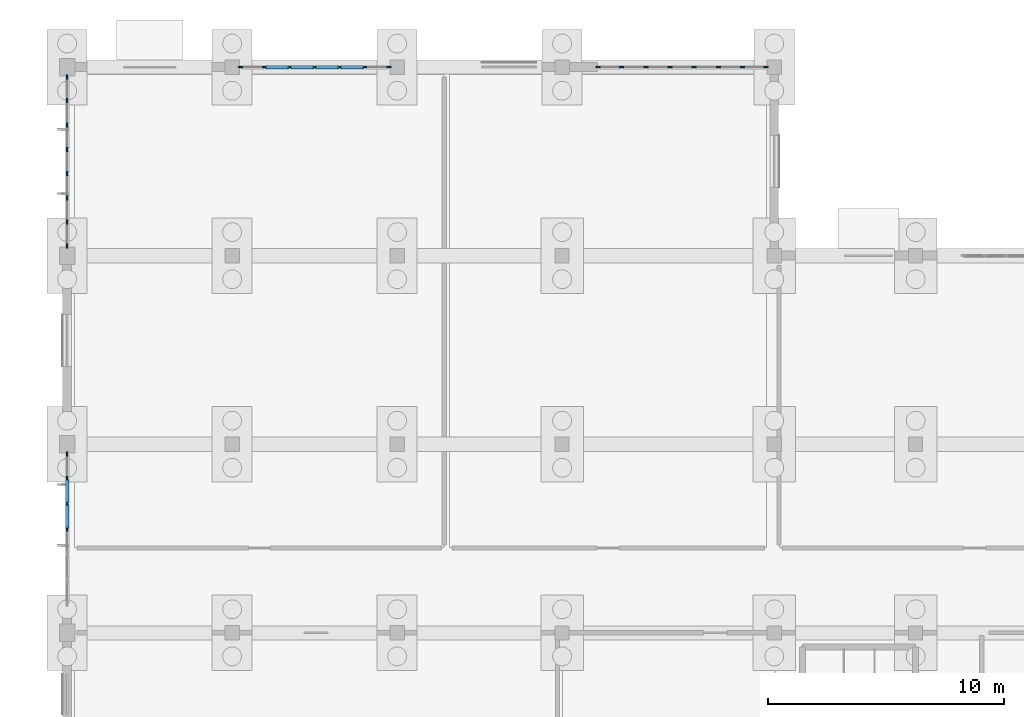
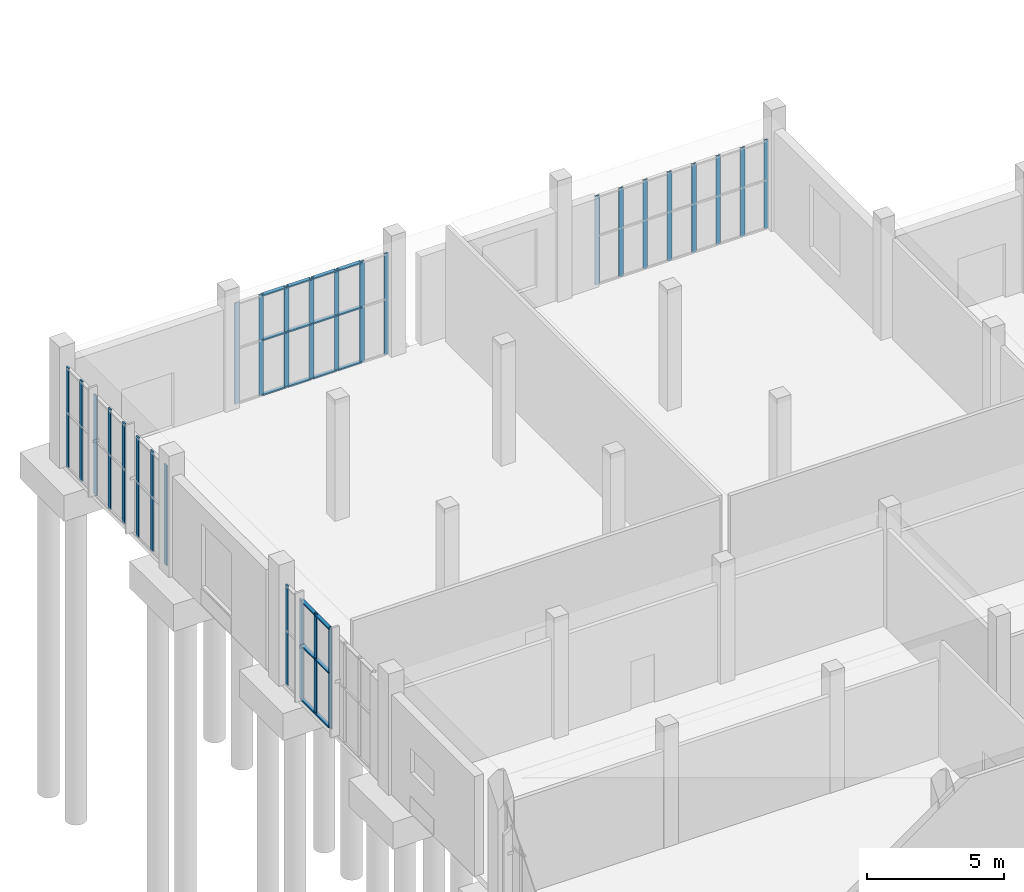
# One storey, part 16 of 69: 45 members, 4 elements without a shape of their own.
"""IFC4 building model written with IfcOpenShell, lengths in metres."""

from ifc_helpers import new_model, si_unit, direction, frame, origin, origin_2d, place, context, subcontext, project, spatial, rectangle, extrude, material, layer, layer_set, material_profile, profile_set, type_object, element, aggregate, save


model = new_model("IFC4")

# Units and contexts
model_context = context("Model", 3, precision=1e-05, world=origin(), true_north=direction((0.0, 1.0)))
body_context = subcontext(model_context, "Body", "Model", "MODEL_VIEW")
ifc_project = project(units=[si_unit("LENGTHUNIT", "METRE"), si_unit("AREAUNIT", "SQUARE_METRE"), si_unit("VOLUMEUNIT", "CUBIC_METRE"), si_unit("PLANEANGLEUNIT", "RADIAN"), si_unit("MASSUNIT", "GRAM", prefix="KILO")], contexts=[model_context])

# Site, building, storey
site_placement = place(None, origin())
site = spatial("IfcSite", under=ifc_project, at=site_placement, CompositionType="ELEMENT")
building_placement = place(site_placement, origin())
building = spatial("IfcBuilding", under=site, at=building_placement, Name="Solvane Community Centre", CompositionType="ELEMENT")
storey_placement = place(building_placement, origin())
storey = spatial("IfcBuildingStorey", under=building, at=storey_placement, Name="L00", CompositionType="ELEMENT", Elevation=0.0)

# Curtain wall, members
ifc_material = material(Name="Anodised bronze aluminium AW-6063 T6", Category="aluminium")
ifc_layer_1 = layer(ifc_material, 0.18994140625)
ifc_layer_set_1 = layer_set([ifc_layer_1], Name="Anodised bronze aluminium AW-6063 T6")
curtain_wall_type_1 = type_object("IfcCurtainWallType", Name="Boulevard Bronze Vision Curtain Wall [64x44dm]", PredefinedType="NOTDEFINED", material=ifc_layer_set_1)
curtain_wall_1_placement = place(storey_placement, origin())
curtain_wall_1 = element("IfcCurtainWall", 1, at=curtain_wall_1_placement, inside=storey, type_object=curtain_wall_type_1, Name="Curtain Wall CW-L00-60_952-006", PredefinedType="NOTDEFINED")
ifc_material_profile_1 = material_profile(ifc_material, rectangle(XDim=0.06005859375, YDim=0.18994140625, at=origin_2d()), Name="CW-M 60x190")
ifc_profile_set_1 = profile_set([ifc_material_profile_1], Name="Anodised bronze aluminium AW-6063 T6")
member_type_1 = type_object("IfcMemberType", Name="Boulevard Mullion 60x190", PredefinedType="MULLION", material=ifc_profile_set_1)
member_1_placement = place(storey_placement, frame((6.0, 98.405029296875, 0.0), z_axis=(0.0, 0.0, 1.0), x_axis=(-1.0, 0.0, 0.0)))
member_1 = element("IfcMember", 2, at=member_1_placement, type_object=member_type_1, Name="CW02-64x44 mullion 4", PredefinedType="MULLION", context=body_context, shape_type="SweptSolid", body=[
    extrude(rectangle(XDim=0.06005859375, YDim=0.18994140625, at=origin_2d()), origin(), (0.0, 0.0, 1.0), 4.445068359375),
])
member_2_placement = place(storey_placement, frame((6.0, 99.473388671875, 0.0), z_axis=(0.0, 0.0, 1.0), x_axis=(-1.0, 0.0, 0.0)))
member_2 = element("IfcMember", 3, at=member_2_placement, type_object=member_type_1, Name="CW02-64x44 mullion 5", PredefinedType="MULLION", context=body_context, shape_type="SweptSolid", body=[
    extrude(rectangle(XDim=0.06005859375, YDim=0.18994140625, at=origin_2d()), origin(), (0.0, 0.0, 1.0), 4.445068359375),
])
member_3_placement = place(storey_placement, frame((6.0, 100.541748046875, 0.0), z_axis=(0.0, 0.0, 1.0), x_axis=(-1.0, 0.0, 0.0)))
member_3 = element("IfcMember", 4, at=member_3_placement, type_object=member_type_1, Name="CW02-64x44 mullion 6", PredefinedType="MULLION", context=body_context, shape_type="SweptSolid", body=[
    extrude(rectangle(XDim=0.06005859375, YDim=0.18994140625, at=origin_2d()), origin(), (0.0, 0.0, 1.0), 4.445068359375),
])
member_4_placement = place(storey_placement, frame((6.0, 101.580078125, 0.0), z_axis=(0.0, 0.0, 1.0), x_axis=(-1.0, 0.0, 0.0)))
member_4 = element("IfcMember", 5, at=member_4_placement, type_object=member_type_1, Name="CW02-64x44 mullion 7", PredefinedType="MULLION", context=body_context, shape_type="SweptSolid", body=[
    extrude(rectangle(XDim=0.06005859375, YDim=0.18994140625, at=origin_2d()), origin(), (0.0, 0.0, 1.0), 4.445068359375),
])

ifc_layer_2 = layer(ifc_material, 0.18994140625)
ifc_layer_set_2 = layer_set([ifc_layer_2], Name="Anodised bronze aluminium AW-6063 T6")
curtain_wall_type_2 = type_object("IfcCurtainWallType", Name="Boulevard Bronze Vision Curtain Wall [72x44dm]", PredefinedType="NOTDEFINED", material=ifc_layer_set_2)
curtain_wall_2_placement = place(storey_placement, origin())
curtain_wall_2 = element("IfcCurtainWall", 6, at=curtain_wall_2_placement, inside=storey, type_object=curtain_wall_type_2, Name="Curtain Wall CW-L00-60_1104-007", PredefinedType="NOTDEFINED")
member_5_placement = place(storey_placement, frame((6.0, 110.419921875, 0.0), z_axis=(0.0, 0.0, 1.0), x_axis=(-1.0, 0.0, 0.0)))
member_5 = element("IfcMember", 7, at=member_5_placement, type_object=member_type_1, Name="CW02-72x44 mullion 1", PredefinedType="MULLION", context=body_context, shape_type="SweptSolid", body=[
    extrude(rectangle(XDim=0.06005859375, YDim=0.18994140625, at=origin_2d()), origin(), (0.0, 0.0, 1.0), 4.445068359375),
])
member_6_placement = place(storey_placement, frame((6.0, 111.42138671875, 0.0), z_axis=(0.0, 0.0, 1.0), x_axis=(-1.0, 0.0, 0.0)))
member_6 = element("IfcMember", 8, at=member_6_placement, type_object=member_type_1, Name="CW02-72x44 mullion 2", PredefinedType="MULLION", context=body_context, shape_type="SweptSolid", body=[
    extrude(rectangle(XDim=0.06005859375, YDim=0.18994140625, at=origin_2d()), origin(), (0.0, 0.0, 1.0), 4.445068359375),
])
member_7_placement = place(storey_placement, frame((6.0, 112.452880859375, 0.0), z_axis=(0.0, 0.0, 1.0), x_axis=(-1.0, 0.0, 0.0)))
member_7 = element("IfcMember", 9, at=member_7_placement, type_object=member_type_1, Name="CW02-72x44 mullion 3", PredefinedType="MULLION", context=body_context, shape_type="SweptSolid", body=[
    extrude(rectangle(XDim=0.06005859375, YDim=0.18994140625, at=origin_2d()), origin(), (0.0, 0.0, 1.0), 4.445068359375),
])
member_8_placement = place(storey_placement, frame((6.0, 113.484375, 0.0), z_axis=(0.0, 0.0, 1.0), x_axis=(-1.0, 0.0, 0.0)))
member_8 = element("IfcMember", 10, at=member_8_placement, type_object=member_type_1, Name="CW02-72x44 mullion 4", PredefinedType="MULLION", context=body_context, shape_type="SweptSolid", body=[
    extrude(rectangle(XDim=0.06005859375, YDim=0.18994140625, at=origin_2d()), origin(), (0.0, 0.0, 1.0), 4.445068359375),
])
member_9_placement = place(storey_placement, frame((6.0, 114.515625, 0.0), z_axis=(0.0, 0.0, 1.0), x_axis=(-1.0, 0.0, 0.0)))
member_9 = element("IfcMember", 11, at=member_9_placement, type_object=member_type_1, Name="CW02-72x44 mullion 5", PredefinedType="MULLION", context=body_context, shape_type="SweptSolid", body=[
    extrude(rectangle(XDim=0.06005859375, YDim=0.18994140625, at=origin_2d()), origin(), (0.0, 0.0, 1.0), 4.445068359375),
])
member_10_placement = place(storey_placement, frame((6.0, 115.547119140625, 0.0), z_axis=(0.0, 0.0, 1.0), x_axis=(-1.0, 0.0, 0.0)))
member_10 = element("IfcMember", 12, at=member_10_placement, type_object=member_type_1, Name="CW02-72x44 mullion 6", PredefinedType="MULLION", context=body_context, shape_type="SweptSolid", body=[
    extrude(rectangle(XDim=0.06005859375, YDim=0.18994140625, at=origin_2d()), origin(), (0.0, 0.0, 1.0), 4.445068359375),
])
member_11_placement = place(storey_placement, frame((6.0, 116.57861328125, 0.0), z_axis=(0.0, 0.0, 1.0), x_axis=(-1.0, 0.0, 0.0)))
member_11 = element("IfcMember", 13, at=member_11_placement, type_object=member_type_1, Name="CW02-72x44 mullion 7", PredefinedType="MULLION", context=body_context, shape_type="SweptSolid", body=[
    extrude(rectangle(XDim=0.06005859375, YDim=0.18994140625, at=origin_2d()), origin(), (0.0, 0.0, 1.0), 4.445068359375),
])
member_12_placement = place(storey_placement, frame((6.0, 117.580078125, 0.0), z_axis=(0.0, 0.0, 1.0), x_axis=(-1.0, 0.0, 0.0)))
member_12 = element("IfcMember", 14, at=member_12_placement, type_object=member_type_1, Name="CW02-72x44 mullion 8", PredefinedType="MULLION", context=body_context, shape_type="SweptSolid", body=[
    extrude(rectangle(XDim=0.06005859375, YDim=0.18994140625, at=origin_2d()), origin(), (0.0, 0.0, 1.0), 4.445068359375),
])
aggregate(curtain_wall_2, [member_5, member_6, member_7, member_8, member_9, member_10, member_11, member_12])

ifc_layer_3 = layer(ifc_material, 0.18994140625)
ifc_layer_set_3 = layer_set([ifc_layer_3], Name="Anodised bronze aluminium AW-6063 T6")
curtain_wall_type_3 = type_object("IfcCurtainWallType", Name="Boulevard Bronze Vision Curtain Wall [64x45dm]", PredefinedType="NOTDEFINED", material=ifc_layer_set_3)
curtain_wall_3_placement = place(storey_placement, origin())
curtain_wall_3 = element("IfcCurtainWall", 15, at=curtain_wall_3_placement, inside=storey, type_object=curtain_wall_type_3, Name="Curtain Wall CW-L00-133_1180-008", PredefinedType="NOTDEFINED")
member_13_placement = place(storey_placement, frame((13.35009765625, 118.0, 0.0), z_axis=(0.0, 0.0, 1.0), x_axis=(0.0, 1.0, 0.0)))
member_13 = element("IfcMember", 16, at=member_13_placement, type_object=member_type_1, Name="CW02-64x45 mullion 1", PredefinedType="MULLION", context=body_context, shape_type="SweptSolid", body=[
    extrude(rectangle(XDim=0.06005859375, YDim=0.18994140625, at=origin_2d()), origin(), (0.0, 0.0, 1.0), 4.4951171875),
])
member_14_placement = place(storey_placement, frame((14.3798828125, 118.0, 0.0), z_axis=(0.0, 0.0, 1.0), x_axis=(0.0, 1.0, 0.0)))
member_14 = element("IfcMember", 17, at=member_14_placement, type_object=member_type_1, Name="CW02-64x45 mullion 2", PredefinedType="MULLION", context=body_context, shape_type="SweptSolid", body=[
    extrude(rectangle(XDim=0.06005859375, YDim=0.18994140625, at=origin_2d()), origin(), (0.0, 0.0, 1.0), 4.4951171875),
])
member_15_placement = place(storey_placement, frame((15.43994140625, 118.0, 0.0), z_axis=(0.0, 0.0, 1.0), x_axis=(0.0, 1.0, 0.0)))
member_15 = element("IfcMember", 18, at=member_15_placement, type_object=member_type_1, Name="CW02-64x45 mullion 3", PredefinedType="MULLION", context=body_context, shape_type="SweptSolid", body=[
    extrude(rectangle(XDim=0.06005859375, YDim=0.18994140625, at=origin_2d()), origin(), (0.0, 0.0, 1.0), 4.4951171875),
])
member_16_placement = place(storey_placement, frame((16.5, 118.0, 0.0), z_axis=(0.0, 0.0, 1.0), x_axis=(0.0, 1.0, 0.0)))
member_16 = element("IfcMember", 19, at=member_16_placement, type_object=member_type_1, Name="CW02-64x45 mullion 4", PredefinedType="MULLION", context=body_context, shape_type="SweptSolid", body=[
    extrude(rectangle(XDim=0.06005859375, YDim=0.18994140625, at=origin_2d()), origin(), (0.0, 0.0, 1.0), 4.4951171875),
])
member_17_placement = place(storey_placement, frame((17.56005859375, 118.0, 0.0), z_axis=(0.0, 0.0, 1.0), x_axis=(0.0, 1.0, 0.0)))
member_17 = element("IfcMember", 20, at=member_17_placement, type_object=member_type_1, Name="CW02-64x45 mullion 5", PredefinedType="MULLION", context=body_context, shape_type="SweptSolid", body=[
    extrude(rectangle(XDim=0.06005859375, YDim=0.18994140625, at=origin_2d()), origin(), (0.0, 0.0, 1.0), 4.4951171875),
])
member_18_placement = place(storey_placement, frame((18.6201171875, 118.0, 0.0), z_axis=(0.0, 0.0, 1.0), x_axis=(0.0, 1.0, 0.0)))
member_18 = element("IfcMember", 21, at=member_18_placement, type_object=member_type_1, Name="CW02-64x45 mullion 6", PredefinedType="MULLION", context=body_context, shape_type="SweptSolid", body=[
    extrude(rectangle(XDim=0.06005859375, YDim=0.18994140625, at=origin_2d()), origin(), (0.0, 0.0, 1.0), 4.4951171875),
])
member_19_placement = place(storey_placement, frame((19.64990234375, 118.0, 0.0), z_axis=(0.0, 0.0, 1.0), x_axis=(0.0, 1.0, 0.0)))
member_19 = element("IfcMember", 22, at=member_19_placement, type_object=member_type_1, Name="CW02-64x45 mullion 7", PredefinedType="MULLION", context=body_context, shape_type="SweptSolid", body=[
    extrude(rectangle(XDim=0.06005859375, YDim=0.18994140625, at=origin_2d()), origin(), (0.0, 0.0, 1.0), 4.4951171875),
])

ifc_layer_4 = layer(ifc_material, 0.18994140625)
ifc_layer_set_4 = layer_set([ifc_layer_4], Name="Anodised bronze aluminium AW-6063 T6")
curtain_wall_type_4 = type_object("IfcCurtainWallType", Name="Boulevard Bronze Vision Curtain Wall [72x39dm]", PredefinedType="NOTDEFINED", material=ifc_layer_set_4)
curtain_wall_4_placement = place(storey_placement, origin())
curtain_wall_4 = element("IfcCurtainWall", 23, at=curtain_wall_4_placement, inside=storey, type_object=curtain_wall_type_4, Name="Curtain Wall CW-L00-285_1180-009", PredefinedType="NOTDEFINED")
member_20_placement = place(storey_placement, frame((28.530029296875, 118.0, 0.0), z_axis=(0.0, 0.0, 1.0), x_axis=(0.0, 1.0, 0.0)))
member_20 = element("IfcMember", 24, at=member_20_placement, type_object=member_type_1, Name="CW02-72x39 mullion 1", PredefinedType="MULLION", context=body_context, shape_type="SweptSolid", body=[
    extrude(rectangle(XDim=0.06005859375, YDim=0.18994140625, at=origin_2d()), origin(), (0.0, 0.0, 1.0), 3.945068359375),
])
member_21_placement = place(storey_placement, frame((29.525634765625, 118.0, 0.0), z_axis=(0.0, 0.0, 1.0), x_axis=(0.0, 1.0, 0.0)))
member_21 = element("IfcMember", 25, at=member_21_placement, type_object=member_type_1, Name="CW02-72x39 mullion 2", PredefinedType="MULLION", context=body_context, shape_type="SweptSolid", body=[
    extrude(rectangle(XDim=0.06005859375, YDim=0.18994140625, at=origin_2d()), origin(), (0.0, 0.0, 1.0), 3.945068359375),
])
member_22_placement = place(storey_placement, frame((30.551513671875, 118.0, 0.0), z_axis=(0.0, 0.0, 1.0), x_axis=(0.0, 1.0, 0.0)))
member_22 = element("IfcMember", 26, at=member_22_placement, type_object=member_type_1, Name="CW02-72x39 mullion 3", PredefinedType="MULLION", context=body_context, shape_type="SweptSolid", body=[
    extrude(rectangle(XDim=0.06005859375, YDim=0.18994140625, at=origin_2d()), origin(), (0.0, 0.0, 1.0), 3.945068359375),
])
member_23_placement = place(storey_placement, frame((31.5771484375, 118.0, 0.0), z_axis=(0.0, 0.0, 1.0), x_axis=(0.0, 1.0, 0.0)))
member_23 = element("IfcMember", 27, at=member_23_placement, type_object=member_type_1, Name="CW02-72x39 mullion 4", PredefinedType="MULLION", context=body_context, shape_type="SweptSolid", body=[
    extrude(rectangle(XDim=0.06005859375, YDim=0.18994140625, at=origin_2d()), origin(), (0.0, 0.0, 1.0), 3.945068359375),
])
member_24_placement = place(storey_placement, frame((32.602783203125, 118.0, 0.0), z_axis=(0.0, 0.0, 1.0), x_axis=(0.0, 1.0, 0.0)))
member_24 = element("IfcMember", 28, at=member_24_placement, type_object=member_type_1, Name="CW02-72x39 mullion 5", PredefinedType="MULLION", context=body_context, shape_type="SweptSolid", body=[
    extrude(rectangle(XDim=0.06005859375, YDim=0.18994140625, at=origin_2d()), origin(), (0.0, 0.0, 1.0), 3.945068359375),
])
member_25_placement = place(storey_placement, frame((33.628662109375, 118.0, 0.0), z_axis=(0.0, 0.0, 1.0), x_axis=(0.0, 1.0, 0.0)))
member_25 = element("IfcMember", 29, at=member_25_placement, type_object=member_type_1, Name="CW02-72x39 mullion 6", PredefinedType="MULLION", context=body_context, shape_type="SweptSolid", body=[
    extrude(rectangle(XDim=0.06005859375, YDim=0.18994140625, at=origin_2d()), origin(), (0.0, 0.0, 1.0), 3.945068359375),
])
member_26_placement = place(storey_placement, frame((34.654296875, 118.0, 0.0), z_axis=(0.0, 0.0, 1.0), x_axis=(0.0, 1.0, 0.0)))
member_26 = element("IfcMember", 30, at=member_26_placement, type_object=member_type_1, Name="CW02-72x39 mullion 7", PredefinedType="MULLION", context=body_context, shape_type="SweptSolid", body=[
    extrude(rectangle(XDim=0.06005859375, YDim=0.18994140625, at=origin_2d()), origin(), (0.0, 0.0, 1.0), 3.945068359375),
])
member_27_placement = place(storey_placement, frame((35.64990234375, 118.0, 0.0), z_axis=(0.0, 0.0, 1.0), x_axis=(0.0, 1.0, 0.0)))
member_27 = element("IfcMember", 31, at=member_27_placement, type_object=member_type_1, Name="CW02-72x39 mullion 8", PredefinedType="MULLION", context=body_context, shape_type="SweptSolid", body=[
    extrude(rectangle(XDim=0.06005859375, YDim=0.18994140625, at=origin_2d()), origin(), (0.0, 0.0, 1.0), 3.945068359375),
])
aggregate(curtain_wall_4, [member_20, member_21, member_22, member_23, member_24, member_25, member_26, member_27])

# Member
ifc_material_profile_2 = material_profile(ifc_material, rectangle(XDim=0.14990234375, YDim=0.06005859375, at=origin_2d()), Name="CW-T 60x150")
ifc_profile_set_2 = profile_set([ifc_material_profile_2], Name="Anodised bronze aluminium AW-6063 T6")
member_type_2 = type_object("IfcMemberType", Name="Boulevard Transom 60x150", PredefinedType="USERDEFINED", material=ifc_profile_set_2)
member_28_placement = place(storey_placement, frame((6.0, 98.43505859375, 0.030029296875), z_axis=(0.0, 1.0, 0.0), x_axis=(-1.0, 0.0, 0.0)))
member_28 = element("IfcMember", 32, at=member_28_placement, type_object=member_type_2, Name="CW02-64x44 transom 4.1", ObjectType="TRANSOM", PredefinedType="USERDEFINED", context=body_context, shape_type="SweptSolid", body=[
    extrude(rectangle(XDim=0.14990234375, YDim=0.06005859375, at=origin_2d()), origin(), (0.0, 0.0, 1.0), 1.00830078125),
])

member_29_placement = place(storey_placement, frame((6.0, 98.43505859375, 2.445068359375), z_axis=(0.0, 1.0, 0.0), x_axis=(-1.0, 0.0, 0.0)))
member_29 = element("IfcMember", 33, at=member_29_placement, type_object=member_type_2, Name="CW02-64x44 transom 4.2", ObjectType="TRANSOM", PredefinedType="USERDEFINED", context=body_context, shape_type="SweptSolid", body=[
    extrude(rectangle(XDim=0.14990234375, YDim=0.06005859375, at=origin_2d()), origin(), (0.0, 0.0, 1.0), 1.00830078125),
])

member_30_placement = place(storey_placement, frame((6.0, 98.43505859375, 4.4150390625), z_axis=(0.0, 1.0, 0.0), x_axis=(-1.0, 0.0, 0.0)))
member_30 = element("IfcMember", 34, at=member_30_placement, type_object=member_type_2, Name="CW02-64x44 transom 4.3", ObjectType="TRANSOM", PredefinedType="USERDEFINED", context=body_context, shape_type="SweptSolid", body=[
    extrude(rectangle(XDim=0.14990234375, YDim=0.06005859375, at=origin_2d()), origin(), (0.0, 0.0, 1.0), 1.00830078125),
])

member_31_placement = place(storey_placement, frame((6.0, 99.50341796875, 0.030029296875), z_axis=(0.0, 1.0, 0.0), x_axis=(-1.0, 0.0, 0.0)))
member_31 = element("IfcMember", 35, at=member_31_placement, type_object=member_type_2, Name="CW02-64x44 transom 5.1", ObjectType="TRANSOM", PredefinedType="USERDEFINED", context=body_context, shape_type="SweptSolid", body=[
    extrude(rectangle(XDim=0.14990234375, YDim=0.06005859375, at=origin_2d()), origin(), (0.0, 0.0, 1.0), 1.00830078125),
])

member_32_placement = place(storey_placement, frame((6.0, 99.50341796875, 2.445068359375), z_axis=(0.0, 1.0, 0.0), x_axis=(-1.0, 0.0, 0.0)))
member_32 = element("IfcMember", 36, at=member_32_placement, type_object=member_type_2, Name="CW02-64x44 transom 5.2", ObjectType="TRANSOM", PredefinedType="USERDEFINED", context=body_context, shape_type="SweptSolid", body=[
    extrude(rectangle(XDim=0.14990234375, YDim=0.06005859375, at=origin_2d()), origin(), (0.0, 0.0, 1.0), 1.00830078125),
])

member_33_placement = place(storey_placement, frame((6.0, 99.50341796875, 4.4150390625), z_axis=(0.0, 1.0, 0.0), x_axis=(-1.0, 0.0, 0.0)))
member_33 = element("IfcMember", 37, at=member_33_placement, type_object=member_type_2, Name="CW02-64x44 transom 5.3", ObjectType="TRANSOM", PredefinedType="USERDEFINED", context=body_context, shape_type="SweptSolid", body=[
    extrude(rectangle(XDim=0.14990234375, YDim=0.06005859375, at=origin_2d()), origin(), (0.0, 0.0, 1.0), 1.00830078125),
])

aggregate(curtain_wall_1, [member_1, member_2, member_3, member_4, member_28, member_29, member_30, member_31, member_32, member_33])

member_34_placement = place(storey_placement, frame((14.409912109375, 118.0, 0.030029296875), z_axis=(1.0, 0.0, 0.0), x_axis=(0.0, 1.0, 0.0)))
member_34 = element("IfcMember", 38, at=member_34_placement, type_object=member_type_2, Name="CW02-64x45 transom 2.1", ObjectType="TRANSOM", PredefinedType="USERDEFINED", context=body_context, shape_type="SweptSolid", body=[
    extrude(rectangle(XDim=0.14990234375, YDim=0.06005859375, at=origin_2d()), origin(), (0.0, 0.0, 1.0), 1.0),
])

member_35_placement = place(storey_placement, frame((14.409912109375, 118.0, 2.471923828125), z_axis=(1.0, 0.0, 0.0), x_axis=(0.0, 1.0, 0.0)))
member_35 = element("IfcMember", 39, at=member_35_placement, type_object=member_type_2, Name="CW02-64x45 transom 2.2", ObjectType="TRANSOM", PredefinedType="USERDEFINED", context=body_context, shape_type="SweptSolid", body=[
    extrude(rectangle(XDim=0.14990234375, YDim=0.06005859375, at=origin_2d()), origin(), (0.0, 0.0, 1.0), 1.0),
])

member_36_placement = place(storey_placement, frame((14.409912109375, 118.0, 4.465087890625), z_axis=(1.0, 0.0, 0.0), x_axis=(0.0, 1.0, 0.0)))
member_36 = element("IfcMember", 40, at=member_36_placement, type_object=member_type_2, Name="CW02-64x45 transom 2.3", ObjectType="TRANSOM", PredefinedType="USERDEFINED", context=body_context, shape_type="SweptSolid", body=[
    extrude(rectangle(XDim=0.14990234375, YDim=0.06005859375, at=origin_2d()), origin(), (0.0, 0.0, 1.0), 1.0),
])

member_37_placement = place(storey_placement, frame((15.469970703125, 118.0, 0.030029296875), z_axis=(1.0, 0.0, 0.0), x_axis=(0.0, 1.0, 0.0)))
member_37 = element("IfcMember", 41, at=member_37_placement, type_object=member_type_2, Name="CW02-64x45 transom 3.1", ObjectType="TRANSOM", PredefinedType="USERDEFINED", context=body_context, shape_type="SweptSolid", body=[
    extrude(rectangle(XDim=0.14990234375, YDim=0.06005859375, at=origin_2d()), origin(), (0.0, 0.0, 1.0), 1.0),
])

member_38_placement = place(storey_placement, frame((15.469970703125, 118.0, 2.471923828125), z_axis=(1.0, 0.0, 0.0), x_axis=(0.0, 1.0, 0.0)))
member_38 = element("IfcMember", 42, at=member_38_placement, type_object=member_type_2, Name="CW02-64x45 transom 3.2", ObjectType="TRANSOM", PredefinedType="USERDEFINED", context=body_context, shape_type="SweptSolid", body=[
    extrude(rectangle(XDim=0.14990234375, YDim=0.06005859375, at=origin_2d()), origin(), (0.0, 0.0, 1.0), 1.0),
])

member_39_placement = place(storey_placement, frame((15.469970703125, 118.0, 4.465087890625), z_axis=(1.0, 0.0, 0.0), x_axis=(0.0, 1.0, 0.0)))
member_39 = element("IfcMember", 43, at=member_39_placement, type_object=member_type_2, Name="CW02-64x45 transom 3.3", ObjectType="TRANSOM", PredefinedType="USERDEFINED", context=body_context, shape_type="SweptSolid", body=[
    extrude(rectangle(XDim=0.14990234375, YDim=0.06005859375, at=origin_2d()), origin(), (0.0, 0.0, 1.0), 1.0),
])

member_40_placement = place(storey_placement, frame((16.530029296875, 118.0, 0.030029296875), z_axis=(1.0, 0.0, 0.0), x_axis=(0.0, 1.0, 0.0)))
member_40 = element("IfcMember", 44, at=member_40_placement, type_object=member_type_2, Name="CW02-64x45 transom 4.1", ObjectType="TRANSOM", PredefinedType="USERDEFINED", context=body_context, shape_type="SweptSolid", body=[
    extrude(rectangle(XDim=0.14990234375, YDim=0.06005859375, at=origin_2d()), origin(), (0.0, 0.0, 1.0), 1.0),
])

member_41_placement = place(storey_placement, frame((16.530029296875, 118.0, 2.471923828125), z_axis=(1.0, 0.0, 0.0), x_axis=(0.0, 1.0, 0.0)))
member_41 = element("IfcMember", 45, at=member_41_placement, type_object=member_type_2, Name="CW02-64x45 transom 4.2", ObjectType="TRANSOM", PredefinedType="USERDEFINED", context=body_context, shape_type="SweptSolid", body=[
    extrude(rectangle(XDim=0.14990234375, YDim=0.06005859375, at=origin_2d()), origin(), (0.0, 0.0, 1.0), 1.0),
])

member_42_placement = place(storey_placement, frame((16.530029296875, 118.0, 4.465087890625), z_axis=(1.0, 0.0, 0.0), x_axis=(0.0, 1.0, 0.0)))
member_42 = element("IfcMember", 46, at=member_42_placement, type_object=member_type_2, Name="CW02-64x45 transom 4.3", ObjectType="TRANSOM", PredefinedType="USERDEFINED", context=body_context, shape_type="SweptSolid", body=[
    extrude(rectangle(XDim=0.14990234375, YDim=0.06005859375, at=origin_2d()), origin(), (0.0, 0.0, 1.0), 1.0),
])

member_43_placement = place(storey_placement, frame((17.590087890625, 118.0, 0.030029296875), z_axis=(1.0, 0.0, 0.0), x_axis=(0.0, 1.0, 0.0)))
member_43 = element("IfcMember", 47, at=member_43_placement, type_object=member_type_2, Name="CW02-64x45 transom 5.1", ObjectType="TRANSOM", PredefinedType="USERDEFINED", context=body_context, shape_type="SweptSolid", body=[
    extrude(rectangle(XDim=0.14990234375, YDim=0.06005859375, at=origin_2d()), origin(), (0.0, 0.0, 1.0), 1.0),
])

member_44_placement = place(storey_placement, frame((17.590087890625, 118.0, 2.471923828125), z_axis=(1.0, 0.0, 0.0), x_axis=(0.0, 1.0, 0.0)))
member_44 = element("IfcMember", 48, at=member_44_placement, type_object=member_type_2, Name="CW02-64x45 transom 5.2", ObjectType="TRANSOM", PredefinedType="USERDEFINED", context=body_context, shape_type="SweptSolid", body=[
    extrude(rectangle(XDim=0.14990234375, YDim=0.06005859375, at=origin_2d()), origin(), (0.0, 0.0, 1.0), 1.0),
])

member_45_placement = place(storey_placement, frame((17.590087890625, 118.0, 4.465087890625), z_axis=(1.0, 0.0, 0.0), x_axis=(0.0, 1.0, 0.0)))
member_45 = element("IfcMember", 49, at=member_45_placement, type_object=member_type_2, Name="CW02-64x45 transom 5.3", ObjectType="TRANSOM", PredefinedType="USERDEFINED", context=body_context, shape_type="SweptSolid", body=[
    extrude(rectangle(XDim=0.14990234375, YDim=0.06005859375, at=origin_2d()), origin(), (0.0, 0.0, 1.0), 1.0),
])

aggregate(curtain_wall_3, [member_13, member_14, member_15, member_16, member_17, member_18, member_19, member_34, member_35, member_36, member_37, member_38, member_39, member_40, member_41, member_42, member_43, member_44, member_45])

save(model, "model.ifc")
